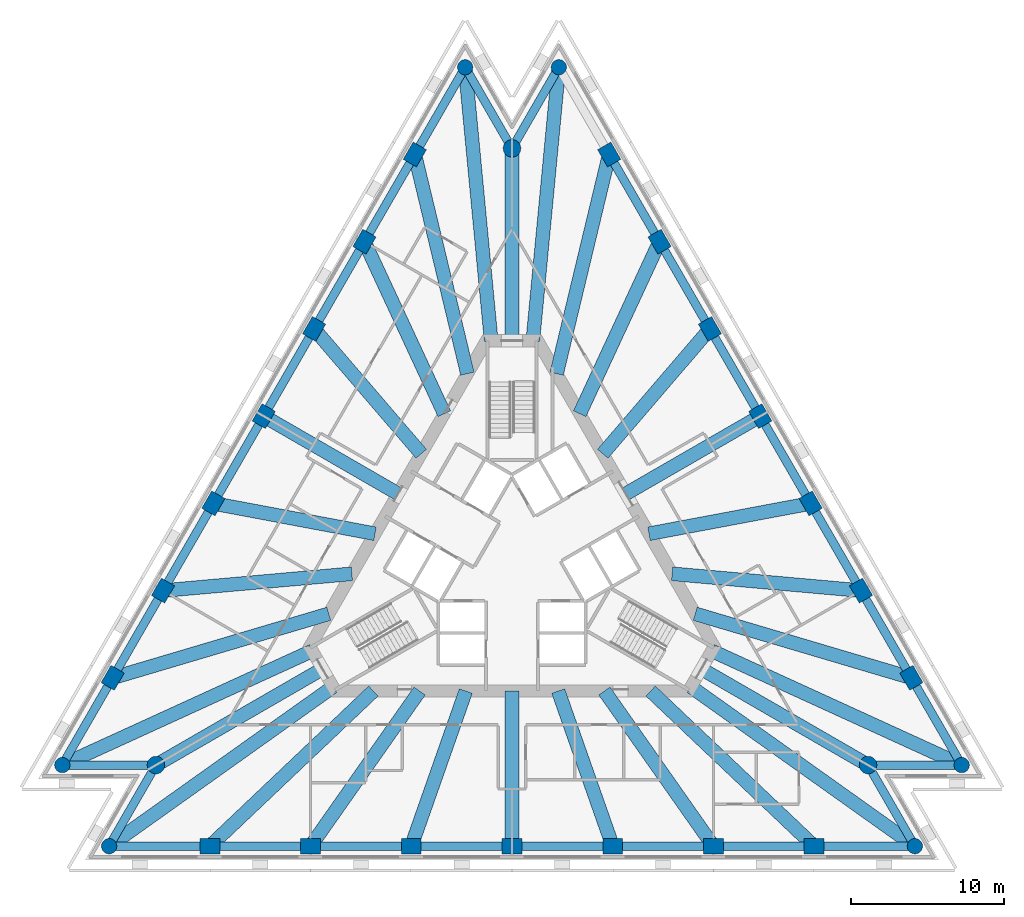
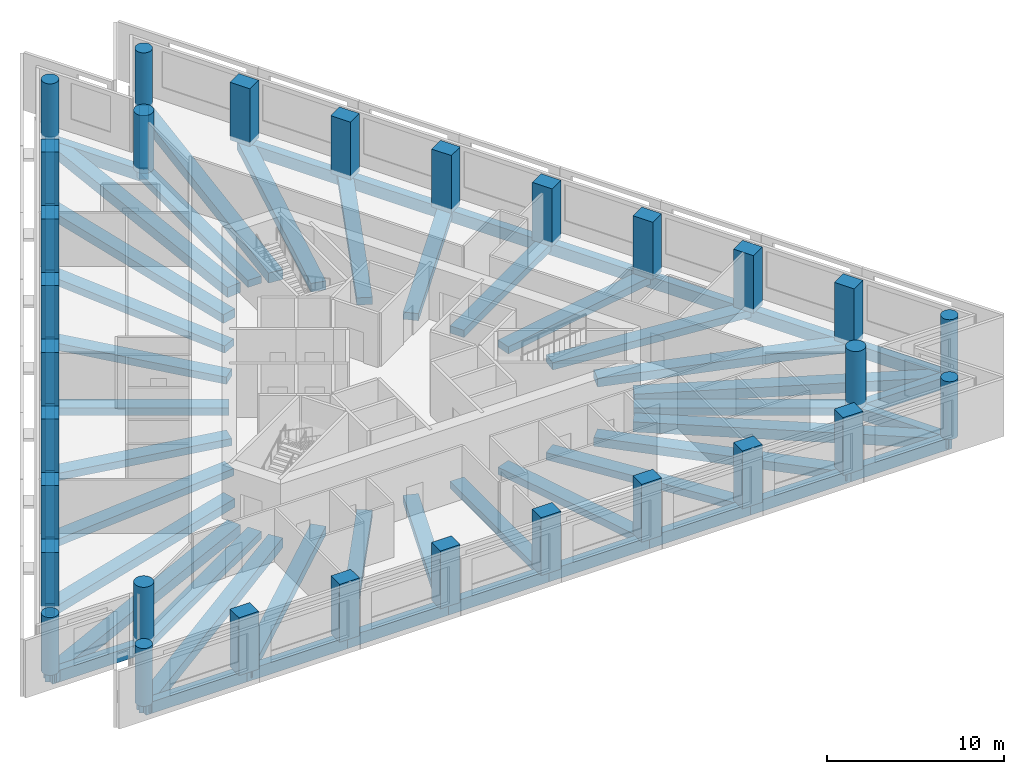
# One storey, part 1 of 10: 59 beams, 30 columns.
"""IFC4 building model written with IfcOpenShell, lengths in metres."""

from ifc_helpers import new_model, si_unit, direction, frame, origin, origin_2d, place, context, subcontext, project, spatial, rectangle, circle, extrude, material, material_profile, profile_set, type_object, element, save


model = new_model("IFC4")

# Units and contexts
model_context = context("Model", 3, precision=1e-05, world=origin(), true_north=direction((0.0, 1.0)))
body_context = subcontext(model_context, "Body", "Model", "MODEL_VIEW")
ifc_project = project(units=[si_unit("LENGTHUNIT", "METRE"), si_unit("AREAUNIT", "SQUARE_METRE"), si_unit("VOLUMEUNIT", "CUBIC_METRE"), si_unit("PLANEANGLEUNIT", "RADIAN"), si_unit("MASSUNIT", "GRAM", prefix="KILO")], contexts=[model_context])

# Site, building, storey
site_placement = place(None, origin())
site = spatial("IfcSite", under=ifc_project, at=site_placement, CompositionType="ELEMENT")
building_placement = place(site_placement, origin())
building = spatial("IfcBuilding", under=site, at=building_placement, Name="Triada Interchange Tower", CompositionType="ELEMENT")
storey_placement = place(building_placement, frame((0.0, 0.0, 156.300048828125)))
storey = spatial("IfcBuildingStorey", under=building, at=storey_placement, Name="L36", CompositionType="ELEMENT", Elevation=156.300048828125)

# Columns
ifc_material_1 = material(Name="Concrete C60/75", Category="concrete")
ifc_material_profile_1 = material_profile(ifc_material_1, rectangle(XDim=1.300048828125, YDim=1.0, at=origin_2d()), Name="RC 1300x1000")
ifc_profile_set_1 = profile_set([ifc_material_profile_1], Name="Concrete C60/75")
column_type_1 = type_object("IfcColumnType", Name="Column B face RC 1300x1000", PredefinedType="COLUMN", material=ifc_profile_set_1)
for number, where, z_axis, x_axis, name in (
    (1, (-6.35595703125, 26.48388671875, -0.300048828125), (0.0, 0.0, 1.0), (0.5, 0.866025403784, 0.0), "Column CB02 L36"),
    (2, (-9.64892578125, 20.781005859375, -0.300048828125), (0.0, 0.0, 1.0), (0.5, 0.866025403784, 0.0), "Column CB03 L36"),
    (3, (-12.94189453125, 15.076904296875, -0.300048828125), (0.0, 0.0, 1.0), (0.5, 0.866025403784, 0.0), "Column CB04 L36"),
    (4, (-16.23388671875, 9.373046875, -0.300048828125), (0.0, 0.0, 1.0), (0.5, 0.866025403784, 0.0), "Column CB05 L36"),
    (5, (-19.527099609375, 3.6689453125, -0.300048828125), (0.0, 0.0, 1.0), (0.5, 0.866025403784, 0.0), "Column CB06 L36"),
    (6, (-22.820068359375, -2.034912109375, -0.300048828125), (0.0, 0.0, 1.0), (0.5, 0.866025403784, 0.0), "Column CB07 L36"),
    (7, (-26.113037109375, -7.738037109375, -0.300048828125), (0.0, 0.0, 1.0), (0.5, 0.866025403784, 0.0), "Column CB08 L36"),
    (8, (-19.758056640625, -18.74609375, -0.300048828125), (0.0, 0.0, 1.0), (1.0, 0.0, 0.0), "Column CB11 L36"),
    (9, (-13.172119140625, -18.74609375, -0.300048828125), (0.0, 0.0, 1.0), (1.0, 0.0, 0.0), "Column CB12 L36"),
    (10, (-6.5859375, -18.74609375, -0.300048828125), (0.0, 0.0, 1.0), (1.0, 0.0, 0.0), "Column CB13 L36"),
    (11, (0.0, -18.74609375, -0.300048828125), (0.0, 0.0, 1.0), (1.0, 0.0, 0.0), "Column CB14 L36"),
    (12, (6.5859375, -18.74609375, -0.300048828125), (0.0, 0.0, 1.0), (1.0, 0.0, 0.0), "Column CB15 L36"),
    (13, (13.172119140625, -18.74609375, -0.300048828125), (0.0, 0.0, 1.0), (1.0, 0.0, 0.0), "Column CB16 L36"),
    (14, (19.758056640625, -18.74609375, -0.300048828125), (0.0, 0.0, 1.0), (1.0, 0.0, 0.0), "Column CB17 L36"),
    (15, (26.113037109375, -7.738037109375, -0.300048828125), (0.0, 0.0, 1.0), (-0.5, 0.866025403784, 0.0), "Column CB20 L36"),
    (16, (22.820068359375, -2.033935546875, -0.300048828125), (0.0, 0.0, 1.0), (-0.5, 0.866025403784, 0.0), "Column CB21 L36"),
    (17, (19.527099609375, 3.6689453125, -0.300048828125), (0.0, 0.0, 1.0), (-0.5, 0.866025403784, 0.0), "Column CB22 L36"),
    (18, (16.23388671875, 9.373046875, -0.300048828125), (0.0, 0.0, 1.0), (-0.5, 0.866025403784, 0.0), "Column CB23 L36"),
    (19, (12.94189453125, 15.076904296875, -0.300048828125), (0.0, 0.0, 1.0), (-0.5, 0.866025403784, 0.0), "Column CB24 L36"),
    (20, (9.64892578125, 20.781005859375, -0.300048828125), (0.0, 0.0, 1.0), (-0.5, 0.866025403784, 0.0), "Column CB25 L36"),
    (21, (6.35595703125, 26.48388671875, -0.300048828125), (0.0, 0.0, 1.0), (-0.5, 0.866025403784, 0.0), "Column CB26 L36"),
):
    element("IfcColumn", number, at=place(storey_placement, frame(where, z_axis=z_axis, x_axis=x_axis)), inside=storey, type_object=column_type_1, Name=name, PredefinedType="COLUMN", context=body_context, shape_type="SweptSolid", body=[
        extrude(rectangle(XDim=1.300048828125, YDim=1.0, at=origin_2d()), origin(), (0.0, 0.0, 1.0), 4.0),
    ])
ifc_material_profile_2 = material_profile(ifc_material_1, circle(Radius=0.5, at=origin_2d()), Name="RC D1000")
ifc_profile_set_2 = profile_set([ifc_material_profile_2], Name="Concrete C60/75")
column_type_2 = type_object("IfcColumnType", Name="End column B RC D1000", PredefinedType="COLUMN", material=ifc_profile_set_2)
for number, where, z_axis, x_axis, name in (
    (22, (-3.06298828125, 32.18798828125, -0.300048828125), (0.0, 0.0, 1.0), (0.5, 0.866025403784, 0.0), "Column CB01 L36"),
    (23, (-29.406005859375, -13.44189453125, -0.300048828125), (0.0, 0.0, 1.0), (0.5, 0.866025403784, 0.0), "Column CB09 L36"),
    (24, (-26.343994140625, -18.74609375, -0.300048828125), (0.0, 0.0, 1.0), (1.0, 0.0, 0.0), "Column CB10 L36"),
    (25, (26.343994140625, -18.74609375, -0.300048828125), (0.0, 0.0, 1.0), (1.0, 0.0, 0.0), "Column CB18 L36"),
    (26, (29.406005859375, -13.44189453125, -0.300048828125), (0.0, 0.0, 1.0), (-0.5, 0.866025403784, 0.0), "Column CB19 L36"),
    (27, (3.06298828125, 32.18798828125, -0.300048828125), (0.0, 0.0, 1.0), (-0.5, 0.866025403784, 0.0), "Column CB27 L36"),
):
    element("IfcColumn", number, at=place(storey_placement, frame(where, z_axis=z_axis, x_axis=x_axis)), inside=storey, type_object=column_type_2, Name=name, PredefinedType="COLUMN", context=body_context, shape_type="SweptSolid", body=[
        extrude(circle(Radius=0.5, at=origin_2d()), origin(), (0.0, 0.0, 1.0), 4.0),
    ])
ifc_material_profile_3 = material_profile(ifc_material_1, circle(Radius=0.574951171875, at=origin_2d()), Name="RC D1150")
ifc_profile_set_3 = profile_set([ifc_material_profile_3], Name="Concrete C60/75")
column_type_3 = type_object("IfcColumnType", Name="Mega column B RC D1150", PredefinedType="COLUMN", material=ifc_profile_set_3)
for number, where, z_axis, x_axis, name in (
    (28, (0.0, 26.883056640625, -0.300048828125), (0.0, 0.0, 1.0), (1.0, 0.0, 0.0), "Column MB1 L36"),
    (29, (-23.281005859375, -13.44189453125, -0.300048828125), (0.0, 0.0, 1.0), (1.0, 0.0, 0.0), "Column MB2 L36"),
    (30, (23.281005859375, -13.44189453125, -0.300048828125), (0.0, 0.0, 1.0), (1.0, 0.0, 0.0), "Column MB3 L36"),
):
    element("IfcColumn", number, at=place(storey_placement, frame(where, z_axis=z_axis, x_axis=x_axis)), inside=storey, type_object=column_type_3, Name=name, PredefinedType="COLUMN", context=body_context, shape_type="SweptSolid", body=[
        extrude(circle(Radius=0.574951171875, at=origin_2d()), origin(), (0.0, 0.0, 1.0), 4.0),
    ])

# Beams
ifc_material_2 = material(Name="Concrete C50/60", Category="concrete")
ifc_material_profile_4 = material_profile(ifc_material_2, rectangle(XDim=0.89990234375, YDim=0.5, at=origin_2d()), Name="RC 900x500")
ifc_profile_set_4 = profile_set([ifc_material_profile_4], Name="Concrete C50/60")
beam_type_1 = type_object("IfcBeamType", Name="Radial band beam B RC 900x500", PredefinedType="BEAM", material=ifc_profile_set_4)
beam_1_placement = place(storey_placement, frame((-9.64892578125, 20.781005859375, -0.550048828125), z_axis=(0.421150637496, -0.906990705871, 0.0), x_axis=(0.906990705871, 0.421150637496, 0.0)))
element("IfcBeam", 31, at=beam_1_placement, inside=storey, type_object=beam_type_1, Name="Radial band beam BB03 L36", PredefinedType="BEAM", context=body_context, shape_type="SweptSolid", body=[
    extrude(rectangle(XDim=0.89990234375, YDim=0.5, at=origin_2d()), origin(), (0.0, 0.0, 1.0), 12.401611328125),
])
beam_2_placement = place(storey_placement, frame((-12.94189453125, 15.076904296875, -0.550048828125), z_axis=(0.651318398791, -0.758804548877, 0.0), x_axis=(0.758804548877, 0.651318398791, 0.0)))
element("IfcBeam", 32, at=beam_2_placement, inside=storey, type_object=beam_type_1, Name="Radial band beam BB04 L36", PredefinedType="BEAM", context=body_context, shape_type="SweptSolid", body=[
    extrude(rectangle(XDim=0.89990234375, YDim=0.5, at=origin_2d()), origin(), (0.0, 0.0, 1.0), 10.7548828125),
])
beam_3_placement = place(storey_placement, frame((-16.23388671875, 9.373046875, -0.550048828125), z_axis=(0.866005647856, -0.500034216711, 0.0), x_axis=(0.500034216711, 0.866005647856, 0.0)))
element("IfcBeam", 33, at=beam_3_placement, inside=storey, type_object=beam_type_1, Name="Radial band beam BB05 L36", PredefinedType="BEAM", context=body_context, shape_type="SweptSolid", body=[
    extrude(rectangle(XDim=0.89990234375, YDim=0.5, at=origin_2d()), origin(), (0.0, 0.0, 1.0), 10.145263671875),
])
beam_4_placement = place(storey_placement, frame((-19.527099609375, 3.6689453125, -0.550048828125), z_axis=(0.982802467996, -0.18465998186, 0.0), x_axis=(0.18465998186, 0.982802467996, 0.0)))
element("IfcBeam", 34, at=beam_4_placement, inside=storey, type_object=beam_type_1, Name="Radial band beam BB06 L36", PredefinedType="BEAM", context=body_context, shape_type="SweptSolid", body=[
    extrude(rectangle(XDim=0.89990234375, YDim=0.5, at=origin_2d()), origin(), (0.0, 0.0, 1.0), 10.754150390625),
])
beam_5_placement = place(storey_placement, frame((-22.820068359375, -2.034912109375, -0.550048828125), z_axis=(0.996051583015, 0.088776370583, 0.0), x_axis=(-0.088776370583, 0.996051583015, 0.0)))
element("IfcBeam", 35, at=beam_5_placement, inside=storey, type_object=beam_type_1, Name="Radial band beam BB07 L36", PredefinedType="BEAM", context=body_context, shape_type="SweptSolid", body=[
    extrude(rectangle(XDim=0.89990234375, YDim=0.5, at=origin_2d()), origin(), (0.0, 0.0, 1.0), 12.400146484375),
])
beam_6_placement = place(storey_placement, frame((-23.281005859375, -13.44189453125, -0.550048828125), z_axis=(0.866003995359, 0.500037078648, 0.0), x_axis=(-0.500037078648, 0.866003995359, 0.0)))
element("IfcBeam", 36, at=beam_6_placement, inside=storey, type_object=beam_type_1, Name="Radial band beam BB10 L36", PredefinedType="BEAM", context=body_context, shape_type="SweptSolid", body=[
    extrude(rectangle(XDim=0.89990234375, YDim=0.5, at=origin_2d()), origin(), (0.0, 0.0, 1.0), 12.5830078125),
])
beam_7_placement = place(storey_placement, frame((-13.172119140625, -18.74609375, -0.550048828125), z_axis=(0.57492022482, 0.818209468958, 0.0), x_axis=(-0.818209468958, 0.57492022482, 0.0)))
element("IfcBeam", 37, at=beam_7_placement, inside=storey, type_object=beam_type_1, Name="Radial band beam BB13 L36", PredefinedType="BEAM", context=body_context, shape_type="SweptSolid", body=[
    extrude(rectangle(XDim=0.89990234375, YDim=0.5, at=origin_2d()), origin(), (0.0, 0.0, 1.0), 12.400146484375),
])
beam_8_placement = place(storey_placement, frame((-6.5859375, -18.74609375, -0.550048828125), z_axis=(0.331496918005, 0.943456301772, 0.0), x_axis=(-0.943456301772, 0.331496918005, 0.0)))
element("IfcBeam", 38, at=beam_8_placement, inside=storey, type_object=beam_type_1, Name="Radial band beam BB14 L36", PredefinedType="BEAM", context=body_context, shape_type="SweptSolid", body=[
    extrude(rectangle(XDim=0.89990234375, YDim=0.5, at=origin_2d()), origin(), (0.0, 0.0, 1.0), 10.754150390625),
])
beam_9_placement = place(storey_placement, frame((0.0, -18.74609375, -0.550048828125), z_axis=(0.0, 1.0, 0.0), x_axis=(-1.0, 0.0, 0.0)))
element("IfcBeam", 39, at=beam_9_placement, inside=storey, type_object=beam_type_1, Name="Radial band beam BB15 L36", PredefinedType="BEAM", context=body_context, shape_type="SweptSolid", body=[
    extrude(rectangle(XDim=0.89990234375, YDim=0.5, at=origin_2d()), origin(), (0.0, 0.0, 1.0), 10.14599609375),
])
beam_10_placement = place(storey_placement, frame((6.5859375, -18.74609375, -0.550048828125), z_axis=(-0.331496918005, 0.943456301772, 0.0), x_axis=(-0.943456301772, -0.331496918005, 0.0)))
element("IfcBeam", 40, at=beam_10_placement, inside=storey, type_object=beam_type_1, Name="Radial band beam BB16 L36", PredefinedType="BEAM", context=body_context, shape_type="SweptSolid", body=[
    extrude(rectangle(XDim=0.89990234375, YDim=0.5, at=origin_2d()), origin(), (0.0, 0.0, 1.0), 10.754150390625),
])
beam_11_placement = place(storey_placement, frame((13.172119140625, -18.74609375, -0.550048828125), z_axis=(-0.57492022482, 0.818209468958, 0.0), x_axis=(-0.818209468958, -0.57492022482, 0.0)))
element("IfcBeam", 41, at=beam_11_placement, inside=storey, type_object=beam_type_1, Name="Radial band beam BB17 L36", PredefinedType="BEAM", context=body_context, shape_type="SweptSolid", body=[
    extrude(rectangle(XDim=0.89990234375, YDim=0.5, at=origin_2d()), origin(), (0.0, 0.0, 1.0), 12.400146484375),
])
beam_12_placement = place(storey_placement, frame((23.281005859375, -13.44189453125, -0.550048828125), z_axis=(-0.866003995359, 0.500037078648, 0.0), x_axis=(-0.500037078648, -0.866003995359, 0.0)))
element("IfcBeam", 42, at=beam_12_placement, inside=storey, type_object=beam_type_1, Name="Radial band beam BB20 L36", PredefinedType="BEAM", context=body_context, shape_type="SweptSolid", body=[
    extrude(rectangle(XDim=0.89990234375, YDim=0.5, at=origin_2d()), origin(), (0.0, 0.0, 1.0), 12.5830078125),
])
beam_13_placement = place(storey_placement, frame((22.820068359375, -2.033935546875, -0.550048828125), z_axis=(-0.996051583015, 0.088776370583, 0.0), x_axis=(-0.088776370583, -0.996051583015, 0.0)))
element("IfcBeam", 43, at=beam_13_placement, inside=storey, type_object=beam_type_1, Name="Radial band beam BB23 L36", PredefinedType="BEAM", context=body_context, shape_type="SweptSolid", body=[
    extrude(rectangle(XDim=0.89990234375, YDim=0.5, at=origin_2d()), origin(), (0.0, 0.0, 1.0), 12.400146484375),
])
beam_14_placement = place(storey_placement, frame((19.527099609375, 3.6689453125, -0.550048828125), z_axis=(-0.982802467996, -0.18465998186, 0.0), x_axis=(0.18465998186, -0.982802467996, 0.0)))
element("IfcBeam", 44, at=beam_14_placement, inside=storey, type_object=beam_type_1, Name="Radial band beam BB24 L36", PredefinedType="BEAM", context=body_context, shape_type="SweptSolid", body=[
    extrude(rectangle(XDim=0.89990234375, YDim=0.5, at=origin_2d()), origin(), (0.0, 0.0, 1.0), 10.754150390625),
])
beam_15_placement = place(storey_placement, frame((16.23388671875, 9.373046875, -0.550048828125), z_axis=(-0.866005647856, -0.500034216711, 0.0), x_axis=(0.500034216711, -0.866005647856, 0.0)))
element("IfcBeam", 45, at=beam_15_placement, inside=storey, type_object=beam_type_1, Name="Radial band beam BB25 L36", PredefinedType="BEAM", context=body_context, shape_type="SweptSolid", body=[
    extrude(rectangle(XDim=0.89990234375, YDim=0.5, at=origin_2d()), origin(), (0.0, 0.0, 1.0), 10.145263671875),
])
beam_16_placement = place(storey_placement, frame((12.94189453125, 15.076904296875, -0.550048828125), z_axis=(-0.651318398791, -0.758804548877, 0.0), x_axis=(0.758804548877, -0.651318398791, 0.0)))
element("IfcBeam", 46, at=beam_16_placement, inside=storey, type_object=beam_type_1, Name="Radial band beam BB26 L36", PredefinedType="BEAM", context=body_context, shape_type="SweptSolid", body=[
    extrude(rectangle(XDim=0.89990234375, YDim=0.5, at=origin_2d()), origin(), (0.0, 0.0, 1.0), 10.7548828125),
])
beam_17_placement = place(storey_placement, frame((9.64892578125, 20.781005859375, -0.550048828125), z_axis=(-0.421150637496, -0.906990705871, 0.0), x_axis=(0.906990705871, -0.421150637496, 0.0)))
element("IfcBeam", 47, at=beam_17_placement, inside=storey, type_object=beam_type_1, Name="Radial band beam BB27 L36", PredefinedType="BEAM", context=body_context, shape_type="SweptSolid", body=[
    extrude(rectangle(XDim=0.89990234375, YDim=0.5, at=origin_2d()), origin(), (0.0, 0.0, 1.0), 12.401611328125),
])
beam_18_placement = place(storey_placement, frame((0.0, 26.883056640625, -0.550048828125), z_axis=(0.0, -1.0, 0.0), x_axis=(1.0, 0.0, 0.0)))
element("IfcBeam", 48, at=beam_18_placement, inside=storey, type_object=beam_type_1, Name="Radial band beam BB30 L36", PredefinedType="BEAM", context=body_context, shape_type="SweptSolid", body=[
    extrude(rectangle(XDim=0.89990234375, YDim=0.5, at=origin_2d()), origin(), (0.0, 0.0, 1.0), 12.5830078125),
])
ifc_material_profile_5 = material_profile(ifc_material_2, rectangle(XDim=0.89990234375, YDim=0.60009765625, at=origin_2d()), Name="RC 900x600")
ifc_profile_set_5 = profile_set([ifc_material_profile_5], Name="Concrete C50/60")
beam_type_2 = type_object("IfcBeamType", Name="Radial band beam B RC 900x600", PredefinedType="BEAM", material=ifc_profile_set_5)
beam_19_placement = place(storey_placement, frame((-6.35595703125, 26.48388671875, -0.60009765625), z_axis=(0.233344139784, -0.972394216575, 0.0), x_axis=(0.972394216575, 0.233344139784, 0.0)))
element("IfcBeam", 49, at=beam_19_placement, inside=storey, type_object=beam_type_2, Name="Radial band beam BB02 L36", PredefinedType="BEAM", context=body_context, shape_type="SweptSolid", body=[
    extrude(rectangle(XDim=0.89990234375, YDim=0.60009765625, at=origin_2d()), origin(), (0.0, 0.0, 1.0), 14.741943359375),
])
beam_20_placement = place(storey_placement, frame((-26.113037109375, -7.738037109375, -0.60009765625), z_axis=(0.958790426324, 0.28411426995, 0.0), x_axis=(-0.28411426995, 0.958790426324, 0.0)))
element("IfcBeam", 50, at=beam_20_placement, inside=storey, type_object=beam_type_2, Name="Radial band beam BB08 L36", PredefinedType="BEAM", context=body_context, shape_type="SweptSolid", body=[
    extrude(rectangle(XDim=0.89990234375, YDim=0.60009765625, at=origin_2d()), origin(), (0.0, 0.0, 1.0), 14.740478515625),
])
for number, where, z_axis, x_axis, name in (
    (51, (-19.758056640625, -18.74609375, -0.60009765625), (0.725452884593, 0.688271830192, 0.0), (-0.688271830192, 0.725452884593, 0.0), "Radial band beam BB12 L36"),
    (52, (19.758056640625, -18.74609375, -0.60009765625), (-0.725452884593, 0.688271830192, 0.0), (-0.688271830192, -0.725452884593, 0.0), "Radial band beam BB18 L36"),
):
    element("IfcBeam", number, at=place(storey_placement, frame(where, z_axis=z_axis, x_axis=x_axis)), inside=storey, type_object=beam_type_2, Name=name, PredefinedType="BEAM", context=body_context, shape_type="SweptSolid", body=[
        extrude(rectangle(XDim=0.89990234375, YDim=0.60009765625, at=origin_2d()), origin(), (0.0, 0.0, 1.0), 14.7412109375),
    ])
beam_21_placement = place(storey_placement, frame((26.113037109375, -7.738037109375, -0.60009765625), z_axis=(-0.958790426324, 0.28411426995, 0.0), x_axis=(-0.28411426995, -0.958790426324, 0.0)))
element("IfcBeam", 53, at=beam_21_placement, inside=storey, type_object=beam_type_2, Name="Radial band beam BB22 L36", PredefinedType="BEAM", context=body_context, shape_type="SweptSolid", body=[
    extrude(rectangle(XDim=0.89990234375, YDim=0.60009765625, at=origin_2d()), origin(), (0.0, 0.0, 1.0), 14.740478515625),
])
beam_22_placement = place(storey_placement, frame((6.35595703125, 26.48388671875, -0.60009765625), z_axis=(-0.233344139784, -0.972394216575, 0.0), x_axis=(0.972394216575, -0.233344139784, 0.0)))
element("IfcBeam", 54, at=beam_22_placement, inside=storey, type_object=beam_type_2, Name="Radial band beam BB28 L36", PredefinedType="BEAM", context=body_context, shape_type="SweptSolid", body=[
    extrude(rectangle(XDim=0.89990234375, YDim=0.60009765625, at=origin_2d()), origin(), (0.0, 0.0, 1.0), 14.741943359375),
])
ifc_material_profile_6 = material_profile(ifc_material_2, rectangle(XDim=0.89990234375, YDim=0.699951171875, at=origin_2d()), Name="RC 900x700")
ifc_profile_set_6 = profile_set([ifc_material_profile_6], Name="Concrete C50/60")
beam_type_3 = type_object("IfcBeamType", Name="Radial band beam B RC 900x700", PredefinedType="BEAM", material=ifc_profile_set_6)
beam_23_placement = place(storey_placement, frame((-3.06298828125, 32.18798828125, -0.650146484375), z_axis=(0.094714838253, -0.995504444699, 0.0), x_axis=(0.995504444699, 0.094714838253, 0.0)))
element("IfcBeam", 55, at=beam_23_placement, inside=storey, type_object=beam_type_3, Name="Radial band beam BB01 L36", PredefinedType="BEAM", context=body_context, shape_type="SweptSolid", body=[
    extrude(rectangle(XDim=0.89990234375, YDim=0.699951171875, at=origin_2d()), origin(), (0.0, 0.0, 1.0), 17.96875),
])
beam_24_placement = place(storey_placement, frame((-29.406005859375, -13.44189453125, -0.650146484375), z_axis=(0.909488713667, 0.415728613055, 0.0), x_axis=(-0.415728613055, 0.909488713667, 0.0)))
element("IfcBeam", 56, at=beam_24_placement, inside=storey, type_object=beam_type_3, Name="Radial band beam BB09 L36", PredefinedType="BEAM", context=body_context, shape_type="SweptSolid", body=[
    extrude(rectangle(XDim=0.89990234375, YDim=0.699951171875, at=origin_2d()), origin(), (0.0, 0.0, 1.0), 17.96826171875),
])
for number, where, z_axis, x_axis, name in (
    (57, (-26.343994140625, -18.74609375, -0.650146484375), (0.814754921858, 0.579805499549, 0.0), (-0.579805499549, 0.814754921858, 0.0), "Radial band beam BB11 L36"),
    (58, (26.343994140625, -18.74609375, -0.650146484375), (-0.814754921858, 0.579805499549, 0.0), (-0.579805499549, -0.814754921858, 0.0), "Radial band beam BB19 L36"),
):
    element("IfcBeam", number, at=place(storey_placement, frame(where, z_axis=z_axis, x_axis=x_axis)), inside=storey, type_object=beam_type_3, Name=name, PredefinedType="BEAM", context=body_context, shape_type="SweptSolid", body=[
        extrude(rectangle(XDim=0.89990234375, YDim=0.699951171875, at=origin_2d()), origin(), (0.0, 0.0, 1.0), 17.968505859375),
    ])
beam_25_placement = place(storey_placement, frame((29.406005859375, -13.44189453125, -0.650146484375), z_axis=(-0.909488713667, 0.415728613055, 0.0), x_axis=(-0.415728613055, -0.909488713667, 0.0)))
element("IfcBeam", 59, at=beam_25_placement, inside=storey, type_object=beam_type_3, Name="Radial band beam BB21 L36", PredefinedType="BEAM", context=body_context, shape_type="SweptSolid", body=[
    extrude(rectangle(XDim=0.89990234375, YDim=0.699951171875, at=origin_2d()), origin(), (0.0, 0.0, 1.0), 17.96826171875),
])
beam_26_placement = place(storey_placement, frame((3.06298828125, 32.18798828125, -0.650146484375), z_axis=(-0.094714838253, -0.995504444699, 0.0), x_axis=(0.995504444699, -0.094714838253, 0.0)))
element("IfcBeam", 60, at=beam_26_placement, inside=storey, type_object=beam_type_3, Name="Radial band beam BB29 L36", PredefinedType="BEAM", context=body_context, shape_type="SweptSolid", body=[
    extrude(rectangle(XDim=0.89990234375, YDim=0.699951171875, at=origin_2d()), origin(), (0.0, 0.0, 1.0), 17.96875),
])
ifc_material_profile_7 = material_profile(ifc_material_2, rectangle(XDim=0.550048828125, YDim=0.800048828125, at=origin_2d()), Name="RC 550x800")
ifc_profile_set_7 = profile_set([ifc_material_profile_7], Name="Concrete C50/60")
beam_type_4 = type_object("IfcBeamType", Name="Spandrel beam B RC 550x800", PredefinedType="BEAM", material=ifc_profile_set_7)
beam_27_placement = place(storey_placement, frame((-3.06298828125, 32.18798828125, -0.699951171875), z_axis=(-0.499966313909, -0.866044851585, 0.0), x_axis=(0.866044851585, -0.499966313909, 0.0)))
element("IfcBeam", 61, at=beam_27_placement, inside=storey, type_object=beam_type_4, Name="Spandrel beam EB01 L36", PredefinedType="BEAM", context=body_context, shape_type="SweptSolid", body=[
    extrude(rectangle(XDim=0.550048828125, YDim=0.800048828125, at=origin_2d()), origin(), (0.0, 0.0, 1.0), 6.58642578125),
])
beam_28_placement = place(storey_placement, frame((-6.35595703125, 26.48388671875, -0.699951171875), z_axis=(-0.500046574511, -0.865998512308, 0.0), x_axis=(0.865998512308, -0.500046574511, 0.0)))
element("IfcBeam", 62, at=beam_28_placement, inside=storey, type_object=beam_type_4, Name="Spandrel beam EB02 L36", PredefinedType="BEAM", context=body_context, shape_type="SweptSolid", body=[
    extrude(rectangle(XDim=0.550048828125, YDim=0.800048828125, at=origin_2d()), origin(), (0.0, 0.0, 1.0), 6.585205078125),
])
beam_29_placement = place(storey_placement, frame((-9.64892578125, 20.781005859375, -0.699951171875), z_axis=(-0.499966313909, -0.866044851585, 0.0), x_axis=(0.866044851585, -0.499966313909, 0.0)))
element("IfcBeam", 63, at=beam_29_placement, inside=storey, type_object=beam_type_4, Name="Spandrel beam EB03 L36", PredefinedType="BEAM", context=body_context, shape_type="SweptSolid", body=[
    extrude(rectangle(XDim=0.550048828125, YDim=0.800048828125, at=origin_2d()), origin(), (0.0, 0.0, 1.0), 6.58642578125),
])
beam_30_placement = place(storey_placement, frame((-12.94189453125, 15.076904296875, -0.699951171875), z_axis=(-0.499871143288, -0.866099786461, 0.0), x_axis=(0.866099786461, -0.499871143288, 0.0)))
element("IfcBeam", 64, at=beam_30_placement, inside=storey, type_object=beam_type_4, Name="Spandrel beam EB04 L36", PredefinedType="BEAM", context=body_context, shape_type="SweptSolid", body=[
    extrude(rectangle(XDim=0.550048828125, YDim=0.800048828125, at=origin_2d()), origin(), (0.0, 0.0, 1.0), 6.585693359375),
])
beam_31_placement = place(storey_placement, frame((-16.23388671875, 9.373046875, -0.699951171875), z_axis=(-0.499994115003, -0.866028801462, 0.0), x_axis=(0.866028801462, -0.499994115003, 0.0)))
element("IfcBeam", 65, at=beam_31_placement, inside=storey, type_object=beam_type_4, Name="Spandrel beam EB05 L36", PredefinedType="BEAM", context=body_context, shape_type="SweptSolid", body=[
    extrude(rectangle(XDim=0.550048828125, YDim=0.800048828125, at=origin_2d()), origin(), (0.0, 0.0, 1.0), 6.58642578125),
])
beam_32_placement = place(storey_placement, frame((-19.527099609375, 3.6689453125, -0.699951171875), z_axis=(-0.499982364312, -0.866035585514, 0.0), x_axis=(0.866035585514, -0.499982364312, 0.0)))
element("IfcBeam", 66, at=beam_32_placement, inside=storey, type_object=beam_type_4, Name="Spandrel beam EB06 L36", PredefinedType="BEAM", context=body_context, shape_type="SweptSolid", body=[
    extrude(rectangle(XDim=0.550048828125, YDim=0.800048828125, at=origin_2d()), origin(), (0.0, 0.0, 1.0), 6.586181640625),
])
beam_33_placement = place(storey_placement, frame((-22.820068359375, -2.034912109375, -0.699951171875), z_axis=(-0.500030520673, -0.866007781949, 0.0), x_axis=(0.866007781949, -0.500030520673, 0.0)))
element("IfcBeam", 67, at=beam_33_placement, inside=storey, type_object=beam_type_4, Name="Spandrel beam EB07 L36", PredefinedType="BEAM", context=body_context, shape_type="SweptSolid", body=[
    extrude(rectangle(XDim=0.550048828125, YDim=0.800048828125, at=origin_2d()), origin(), (0.0, 0.0, 1.0), 6.58544921875),
])
beam_34_placement = place(storey_placement, frame((-26.113037109375, -7.738037109375, -0.699951171875), z_axis=(-0.499982364312, -0.866035585514, 0.0), x_axis=(0.866035585514, -0.499982364312, 0.0)))
element("IfcBeam", 68, at=beam_34_placement, inside=storey, type_object=beam_type_4, Name="Spandrel beam EB08 L36", PredefinedType="BEAM", context=body_context, shape_type="SweptSolid", body=[
    extrude(rectangle(XDim=0.550048828125, YDim=0.800048828125, at=origin_2d()), origin(), (0.0, 0.0, 1.0), 6.586181640625),
])
for number, where, z_axis, x_axis, name in (
    (69, (-29.406005859375, -13.44189453125, -0.699951171875), (1.0, 0.0, 0.0), (0.0, 1.0, 0.0), "Spandrel beam EB09 L36"),
    (70, (-23.281005859375, -13.44189453125, -0.699951171875), (-0.500074377092, -0.865982457891, 0.0), (0.865982457891, -0.500074377092, 0.0), "Spandrel beam EB10 L36"),
):
    element("IfcBeam", number, at=place(storey_placement, frame(where, z_axis=z_axis, x_axis=x_axis)), inside=storey, type_object=beam_type_4, Name=name, PredefinedType="BEAM", context=body_context, shape_type="SweptSolid", body=[
        extrude(rectangle(XDim=0.550048828125, YDim=0.800048828125, at=origin_2d()), origin(), (0.0, 0.0, 1.0), 6.125),
    ])
for number, where, z_axis, x_axis, name in (
    (71, (-26.343994140625, -18.74609375, -0.699951171875), (1.0, 0.0, 0.0), (0.0, 1.0, 0.0), "Spandrel beam EB11 L36"),
    (72, (-19.758056640625, -18.74609375, -0.699951171875), (1.0, 0.0, 0.0), (0.0, 1.0, 0.0), "Spandrel beam EB12 L36"),
):
    element("IfcBeam", number, at=place(storey_placement, frame(where, z_axis=z_axis, x_axis=x_axis)), inside=storey, type_object=beam_type_4, Name=name, PredefinedType="BEAM", context=body_context, shape_type="SweptSolid", body=[
        extrude(rectangle(XDim=0.550048828125, YDim=0.800048828125, at=origin_2d()), origin(), (0.0, 0.0, 1.0), 6.5859375),
    ])
beam_35_placement = place(storey_placement, frame((-13.172119140625, -18.74609375, -0.699951171875), z_axis=(1.0, 0.0, 0.0), x_axis=(0.0, 1.0, 0.0)))
element("IfcBeam", 73, at=beam_35_placement, inside=storey, type_object=beam_type_4, Name="Spandrel beam EB13 L36", PredefinedType="BEAM", context=body_context, shape_type="SweptSolid", body=[
    extrude(rectangle(XDim=0.550048828125, YDim=0.800048828125, at=origin_2d()), origin(), (0.0, 0.0, 1.0), 6.586181640625),
])
for number, where, z_axis, x_axis, name in (
    (74, (-6.5859375, -18.74609375, -0.699951171875), (1.0, 0.0, 0.0), (0.0, 1.0, 0.0), "Spandrel beam EB14 L36"),
    (75, (0.0, -18.74609375, -0.699951171875), (1.0, 0.0, 0.0), (0.0, 1.0, 0.0), "Spandrel beam EB15 L36"),
):
    element("IfcBeam", number, at=place(storey_placement, frame(where, z_axis=z_axis, x_axis=x_axis)), inside=storey, type_object=beam_type_4, Name=name, PredefinedType="BEAM", context=body_context, shape_type="SweptSolid", body=[
        extrude(rectangle(XDim=0.550048828125, YDim=0.800048828125, at=origin_2d()), origin(), (0.0, 0.0, 1.0), 6.5859375),
    ])
beam_36_placement = place(storey_placement, frame((6.5859375, -18.74609375, -0.699951171875), z_axis=(1.0, 0.0, 0.0), x_axis=(0.0, 1.0, 0.0)))
element("IfcBeam", 76, at=beam_36_placement, inside=storey, type_object=beam_type_4, Name="Spandrel beam EB16 L36", PredefinedType="BEAM", context=body_context, shape_type="SweptSolid", body=[
    extrude(rectangle(XDim=0.550048828125, YDim=0.800048828125, at=origin_2d()), origin(), (0.0, 0.0, 1.0), 6.586181640625),
])
for number, where, z_axis, x_axis, name in (
    (77, (13.172119140625, -18.74609375, -0.699951171875), (1.0, 0.0, 0.0), (0.0, 1.0, 0.0), "Spandrel beam EB17 L36"),
    (78, (19.758056640625, -18.74609375, -0.699951171875), (1.0, 0.0, 0.0), (0.0, 1.0, 0.0), "Spandrel beam EB18 L36"),
):
    element("IfcBeam", number, at=place(storey_placement, frame(where, z_axis=z_axis, x_axis=x_axis)), inside=storey, type_object=beam_type_4, Name=name, PredefinedType="BEAM", context=body_context, shape_type="SweptSolid", body=[
        extrude(rectangle(XDim=0.550048828125, YDim=0.800048828125, at=origin_2d()), origin(), (0.0, 0.0, 1.0), 6.5859375),
    ])
for number, where, z_axis, x_axis, name in (
    (79, (26.343994140625, -18.74609375, -0.699951171875), (-0.500074377092, 0.865982457891, 0.0), (-0.865982457891, -0.500074377092, 0.0), "Spandrel beam EB19 L36"),
    (80, (23.281005859375, -13.44189453125, -0.699951171875), (1.0, 0.0, 0.0), (0.0, 1.0, 0.0), "Spandrel beam EB20 L36"),
):
    element("IfcBeam", number, at=place(storey_placement, frame(where, z_axis=z_axis, x_axis=x_axis)), inside=storey, type_object=beam_type_4, Name=name, PredefinedType="BEAM", context=body_context, shape_type="SweptSolid", body=[
        extrude(rectangle(XDim=0.550048828125, YDim=0.800048828125, at=origin_2d()), origin(), (0.0, 0.0, 1.0), 6.125),
    ])
beam_37_placement = place(storey_placement, frame((29.406005859375, -13.44189453125, -0.699951171875), z_axis=(-0.499982364312, 0.866035585514, 0.0), x_axis=(-0.866035585514, -0.499982364312, 0.0)))
element("IfcBeam", 81, at=beam_37_placement, inside=storey, type_object=beam_type_4, Name="Spandrel beam EB21 L36", PredefinedType="BEAM", context=body_context, shape_type="SweptSolid", body=[
    extrude(rectangle(XDim=0.550048828125, YDim=0.800048828125, at=origin_2d()), origin(), (0.0, 0.0, 1.0), 6.586181640625),
])
beam_38_placement = place(storey_placement, frame((26.113037109375, -7.738037109375, -0.699951171875), z_axis=(-0.499966313909, 0.866044851585, 0.0), x_axis=(-0.866044851585, -0.499966313909, 0.0)))
element("IfcBeam", 82, at=beam_38_placement, inside=storey, type_object=beam_type_4, Name="Spandrel beam EB22 L36", PredefinedType="BEAM", context=body_context, shape_type="SweptSolid", body=[
    extrude(rectangle(XDim=0.550048828125, YDim=0.800048828125, at=origin_2d()), origin(), (0.0, 0.0, 1.0), 6.58642578125),
])
beam_39_placement = place(storey_placement, frame((22.820068359375, -2.033935546875, -0.699951171875), z_axis=(-0.500046574511, 0.865998512308, 0.0), x_axis=(-0.865998512308, -0.500046574511, 0.0)))
element("IfcBeam", 83, at=beam_39_placement, inside=storey, type_object=beam_type_4, Name="Spandrel beam EB23 L36", PredefinedType="BEAM", context=body_context, shape_type="SweptSolid", body=[
    extrude(rectangle(XDim=0.550048828125, YDim=0.800048828125, at=origin_2d()), origin(), (0.0, 0.0, 1.0), 6.585205078125),
])
beam_40_placement = place(storey_placement, frame((19.527099609375, 3.6689453125, -0.699951171875), z_axis=(-0.499994115003, 0.866028801462, 0.0), x_axis=(-0.866028801462, -0.499994115003, 0.0)))
element("IfcBeam", 84, at=beam_40_placement, inside=storey, type_object=beam_type_4, Name="Spandrel beam EB24 L36", PredefinedType="BEAM", context=body_context, shape_type="SweptSolid", body=[
    extrude(rectangle(XDim=0.550048828125, YDim=0.800048828125, at=origin_2d()), origin(), (0.0, 0.0, 1.0), 6.58642578125),
])
beam_41_placement = place(storey_placement, frame((16.23388671875, 9.373046875, -0.699951171875), z_axis=(-0.499871143288, 0.866099786461, 0.0), x_axis=(-0.866099786461, -0.499871143288, 0.0)))
element("IfcBeam", 85, at=beam_41_placement, inside=storey, type_object=beam_type_4, Name="Spandrel beam EB25 L36", PredefinedType="BEAM", context=body_context, shape_type="SweptSolid", body=[
    extrude(rectangle(XDim=0.550048828125, YDim=0.800048828125, at=origin_2d()), origin(), (0.0, 0.0, 1.0), 6.585693359375),
])
beam_42_placement = place(storey_placement, frame((12.94189453125, 15.076904296875, -0.699951171875), z_axis=(-0.499966313909, 0.866044851585, 0.0), x_axis=(-0.866044851585, -0.499966313909, 0.0)))
element("IfcBeam", 86, at=beam_42_placement, inside=storey, type_object=beam_type_4, Name="Spandrel beam EB26 L36", PredefinedType="BEAM", context=body_context, shape_type="SweptSolid", body=[
    extrude(rectangle(XDim=0.550048828125, YDim=0.800048828125, at=origin_2d()), origin(), (0.0, 0.0, 1.0), 6.58642578125),
])
beam_43_placement = place(storey_placement, frame((9.64892578125, 20.781005859375, -0.699951171875), z_axis=(-0.500046574511, 0.865998512308, 0.0), x_axis=(-0.865998512308, -0.500046574511, 0.0)))
element("IfcBeam", 87, at=beam_43_placement, inside=storey, type_object=beam_type_4, Name="Spandrel beam EB27 L36", PredefinedType="BEAM", context=body_context, shape_type="SweptSolid", body=[
    extrude(rectangle(XDim=0.550048828125, YDim=0.800048828125, at=origin_2d()), origin(), (0.0, 0.0, 1.0), 6.585205078125),
])
for number, where, z_axis, x_axis, name in (
    (88, (3.06298828125, 32.18798828125, -0.699951171875), (-0.500022597718, -0.866012356593, 0.0), (0.866012356593, -0.500022597718, 0.0), "Spandrel beam EB29 L36"),
    (89, (0.0, 26.883056640625, -0.699951171875), (-0.500022597718, 0.866012356593, 0.0), (-0.866012356593, -0.500022597718, 0.0), "Spandrel beam EB30 L36"),
):
    element("IfcBeam", number, at=place(storey_placement, frame(where, z_axis=z_axis, x_axis=x_axis)), inside=storey, type_object=beam_type_4, Name=name, PredefinedType="BEAM", context=body_context, shape_type="SweptSolid", body=[
        extrude(rectangle(XDim=0.550048828125, YDim=0.800048828125, at=origin_2d()), origin(), (0.0, 0.0, 1.0), 6.125732421875),
    ])

save(model, "model.ifc")
